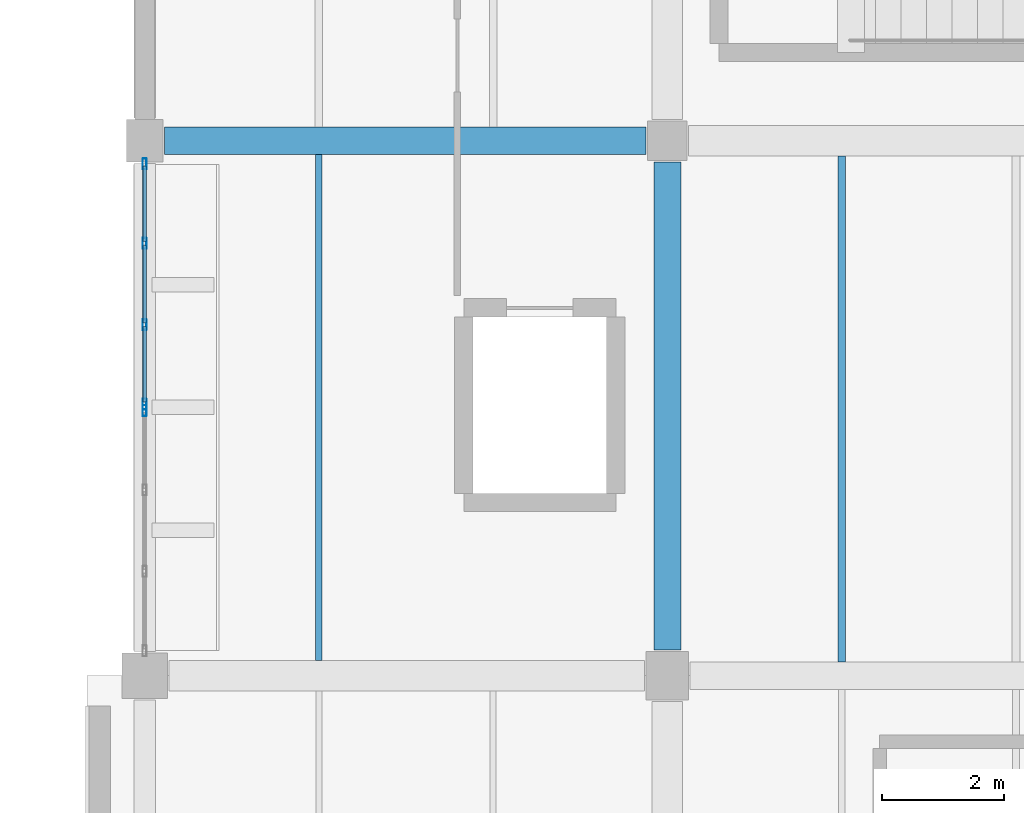
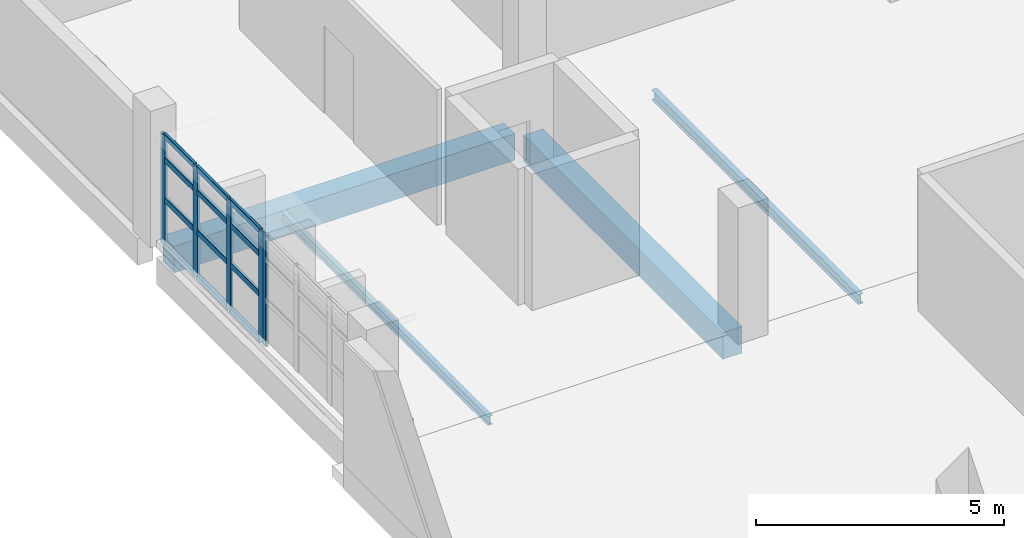
# One storey, part 12 of 93: 17 members, 4 beams, 2 elements without a shape of their own.
"""IFC4 building model written with IfcOpenShell, lengths in metres."""

import ifcopenshell
import ifcopenshell.guid

model = None  # the IFC model being written
_history = None  # IfcOwnerHistory: only IFC2X3 demands one
_inside = {}  # id of a spatial element -> (the spatial element, [elements in it])
_under = {}  # id of a project, library or spatial element -> (it, [spatial elements below it])
_declared = {}  # id of a project -> (the project, [libraries it declares])
_typed = {}  # id of a type object -> (the type object, [elements of that type])
_made_of = {}  # id of a material, layer set ... -> (it, [elements and type objects made of it])


def new_model(schema):
    """Start an empty IFC model of exactly this schema.

    Asked for "IFC4X3", IfcOpenShell would pick the latest addendum, in which some entities
    have other attributes; the version numbers below select the first issue.
    IFC2X3 requires an IfcOwnerHistory on every rooted entity: one is made here for all.
    """
    global model, _history
    if schema == "IFC4X3":
        model = ifcopenshell.file(schema_version=(4, 3, 0, 0))
    else:
        model = ifcopenshell.file(schema=schema)
    _inside.clear()
    _under.clear()
    _declared.clear()
    _typed.clear()
    _made_of.clear()
    _history = None
    if model.schema == "IFC2X3":
        org = make("IfcOrganization", Name="unknown")
        user = make(
            "IfcPersonAndOrganization",
            ThePerson=make("IfcPerson", FamilyName="unknown"),
            TheOrganization=org,
        )
        app = make(
            "IfcApplication",
            ApplicationDeveloper=org,
            Version="unknown",
            ApplicationFullName="unknown",
            ApplicationIdentifier="unknown",
        )
        _history = make(
            "IfcOwnerHistory",
            OwningUser=user,
            OwningApplication=app,
            ChangeAction="ADDED",
            CreationDate=0,
        )
    return model


def make(cls, **values):
    """One entity of the class cls with the attributes given. An attribute that is None is left unset."""
    return model.create_entity(
        cls, **{name: value for name, value in values.items() if value is not None}
    )


def rooted(cls, **values):
    """An entity with a GlobalId (a new one), such as an element, a storey or a relation."""
    return make(cls, GlobalId=ifcopenshell.guid.new(), OwnerHistory=_history, **values)


def si_unit(unit_type, name, prefix=None):
    """IfcSIUnit, for example si_unit("LENGTHUNIT", "METRE", prefix="MILLI")."""
    return make("IfcSIUnit", UnitType=unit_type, Prefix=prefix, Name=name)


def assignment(units):
    """IfcUnitAssignment: the units of a project."""
    return None if units is None else make("IfcUnitAssignment", Units=units)


def point(xyz):
    """IfcCartesianPoint."""
    return None if xyz is None else make("IfcCartesianPoint", Coordinates=xyz)


def direction(xyz):
    """IfcDirection."""
    return None if xyz is None else make("IfcDirection", DirectionRatios=xyz)


def frame(location, z_axis=None, x_axis=None):
    """IfcAxis2Placement3D, a coordinate frame: its origin and axes. An axis left out is left unset."""
    return make(
        "IfcAxis2Placement3D",
        Location=point(location),
        Axis=direction(z_axis),
        RefDirection=direction(x_axis),
    )


def frame_2d(location, x_axis=None):
    """IfcAxis2Placement2D, a coordinate frame in the plane: its origin and x axis."""
    return make(
        "IfcAxis2Placement2D", Location=point(location), RefDirection=direction(x_axis)
    )


def origin():
    """The frame at (0, 0, 0) with its axes left unset."""
    return frame((0.0, 0.0, 0.0))


def origin_2d():
    """The frame at (0, 0) in the plane with its x axis left unset."""
    return frame_2d((0.0, 0.0))


def place(relative_to, where):
    """IfcLocalPlacement: puts the frame where relative to a parent placement (None: the world)."""
    return make(
        "IfcLocalPlacement", PlacementRelTo=relative_to, RelativePlacement=where
    )


def context(
    kind, dimensions, precision=None, world=None, true_north=None, identifier=None
):
    """IfcGeometricRepresentationContext, for example the 3D "Model" context."""
    return make(
        "IfcGeometricRepresentationContext",
        ContextIdentifier=identifier,
        ContextType=kind,
        CoordinateSpaceDimension=dimensions,
        Precision=precision,
        WorldCoordinateSystem=world,
        TrueNorth=true_north,
    )


def subcontext(parent, identifier, kind, view, scale=None):
    """IfcGeometricRepresentationSubContext, for example "Body" below "Model"."""
    return make(
        "IfcGeometricRepresentationSubContext",
        ContextIdentifier=identifier,
        ContextType=kind,
        ParentContext=parent,
        TargetScale=scale,
        TargetView=view,
    )


def project(units=None, contexts=None):
    """IfcProject with its units and contexts."""
    return rooted(
        "IfcProject",
        Name="project",
        RepresentationContexts=contexts,
        UnitsInContext=assignment(units),
    )


def spatial(cls, under=None, at=None, **own):
    """A site, building, storey or space (cls), placed at a placement, below another one or the project."""
    s = rooted(cls, ObjectPlacement=at, **own)
    if under is not None:
        _under.setdefault(under.id(), (under, []))[1].append(s)
    return s


def profile(cls, at=None, kind="AREA", **sizes):
    """A parametric profile (cls). Its sizes go by their IFC names, for example OverallWidth=200.0."""
    return make(cls, ProfileType=kind, Position=at, **sizes)


def rectangle(**sizes):
    """IfcRectangleProfileDef."""
    return profile("IfcRectangleProfileDef", **sizes)


def hollow_rectangle(**sizes):
    """IfcRectangleHollowProfileDef."""
    return profile("IfcRectangleHollowProfileDef", **sizes)


def i_section(**sizes):
    """IfcIShapeProfileDef."""
    return profile("IfcIShapeProfileDef", **sizes)


def extrude(swept, where, along, depth):
    """IfcExtrudedAreaSolid: the profile swept, set in the frame where, extruded along a direction by depth."""
    return make(
        "IfcExtrudedAreaSolid",
        SweptArea=swept,
        Position=where,
        ExtrudedDirection=direction(along),
        Depth=depth,
    )


def shape(context_of_items, identifier, shape_type, items):
    """IfcShapeRepresentation: the items that make up one representation, for example the "Body"."""
    return make(
        "IfcShapeRepresentation",
        ContextOfItems=context_of_items,
        RepresentationIdentifier=identifier,
        RepresentationType=shape_type,
        Items=items,
    )


def material(Name=None, Category=None):
    """IfcMaterial."""
    return make("IfcMaterial", Name=Name, Category=Category)


def material_profile(
    of_material, cross_section, Name=None, Category=None, Priority=None
):
    """IfcMaterialProfile: a cross section and its material."""
    return make(
        "IfcMaterialProfile",
        Name=Name,
        Material=of_material,
        Profile=cross_section,
        Priority=Priority,
        Category=Category,
    )


def profile_set(profiles, Name=None, composite=None):
    """IfcMaterialProfileSet."""
    return make(
        "IfcMaterialProfileSet",
        Name=Name,
        MaterialProfiles=profiles,
        CompositeProfile=composite,
    )


def made_of(thing, what):
    """Note that an element or type object is made of a material, layer set ...; save() writes the relation."""
    if what is not None:
        _made_of.setdefault(what.id(), (what, []))[1].append(thing)
    return thing


def type_object(cls, material=None, **own):
    """A type object (cls), such as IfcWallType, which elements share."""
    return made_of(rooted(cls, **own), material)


def element(
    cls,
    number,
    at=None,
    inside=None,
    cuts=None,
    type_object=None,
    material=None,
    context=None,
    identifier="Body",
    shape_type=None,
    held_by="IfcProductDefinitionShape",
    body=None,
    shapes=None,
    **own,
):
    """One element of the class cls, such as IfcWall. Its Tag is "e" and its number.

    at: its placement. inside: the storey or other place that contains it. cuts: it is an
    opening in that element (IfcRelVoidsElement). A single representation is given by context,
    identifier, shape_type and body (its items); several are given by shapes. held_by: the class
    of the entity that holds the representations. save() writes the other relations.
    """
    e = rooted(cls, Tag="e%d" % number, ObjectPlacement=at, **own)
    if body is not None:
        shapes = [shape(context, identifier, shape_type, body)]
    if shapes is not None:
        e.Representation = make(held_by, Representations=shapes)
    if inside is not None:
        _inside.setdefault(inside.id(), (inside, []))[1].append(e)
    if cuts is not None:
        rooted(
            "IfcRelVoidsElement", RelatingBuildingElement=cuts, RelatedOpeningElement=e
        )
    if type_object is not None:
        _typed.setdefault(type_object.id(), (type_object, []))[1].append(e)
    return made_of(e, material)


def aggregate(whole, parts):
    """IfcRelAggregates: a whole, such as a stair, and the parts it consists of."""
    return rooted("IfcRelAggregates", RelatingObject=whole, RelatedObjects=parts)


def save(model, path):
    """Write the relations noted so far, then the file.

    IfcRelAggregates (storeys below a building ...), IfcRelContainedInSpatialStructure (elements
    in a storey), IfcRelDefinesByType, IfcRelAssociatesMaterial and IfcRelDeclares: one each for
    every whole, place, type object, material and project.
    """
    for whole, parts in _under.values():
        aggregate(whole, parts)
    for where, things in _inside.values():
        rooted(
            "IfcRelContainedInSpatialStructure",
            RelatedElements=things,
            RelatingStructure=where,
        )
    for kind, things in _typed.values():
        rooted("IfcRelDefinesByType", RelatedObjects=things, RelatingType=kind)
    for what, things in _made_of.values():
        rooted("IfcRelAssociatesMaterial", RelatedObjects=things, RelatingMaterial=what)
    for by, libraries in _declared.values():
        rooted("IfcRelDeclares", RelatingContext=by, RelatedDefinitions=libraries)
    model.write(path)


model = new_model("IFC4")

# Units and contexts
model_context = context("Model", 3, precision=1e-05, world=origin(), true_north=direction((0.0, 1.0)))
body_context = subcontext(model_context, "Body", "Model", "MODEL_VIEW")
ifc_project = project(units=[si_unit("LENGTHUNIT", "METRE"), si_unit("AREAUNIT", "SQUARE_METRE"), si_unit("VOLUMEUNIT", "CUBIC_METRE"), si_unit("PLANEANGLEUNIT", "RADIAN"), si_unit("MASSUNIT", "GRAM", prefix="KILO")], contexts=[model_context])

# Site, building, storey
site_placement = place(None, origin())
site = spatial("IfcSite", under=ifc_project, at=site_placement, CompositionType="ELEMENT")
building_placement = place(site_placement, origin())
building = spatial("IfcBuilding", under=site, at=building_placement, Name="Varnakota Cinema and Media Centre", CompositionType="ELEMENT")
storey_placement = place(building_placement, frame((0.0, 0.0, 12.0)))
storey = spatial("IfcBuildingStorey", under=building, at=storey_placement, Name="L03", CompositionType="ELEMENT", Elevation=12.0)

# Beams
ifc_material_1 = material(Name="Concrete M35", Category="concrete")
ifc_material_profile_1 = material_profile(ifc_material_1, rectangle(XDim=0.449951171875, YDim=0.64990234375, at=origin_2d()), Name="RCB 450x650")
ifc_profile_set_1 = profile_set([ifc_material_profile_1], Name="Concrete M35")
beam_type_1 = type_object("IfcBeamType", Name="BM-RC-450x650", PredefinedType="BEAM", material=ifc_profile_set_1)
beam_1_placement = place(storey_placement, frame((0.324951171875, 44.0, -0.5849609375), z_axis=(1.0, 0.0, 0.0), x_axis=(0.0, 1.0, 0.0)))
element("IfcBeam", 1, at=beam_1_placement, inside=storey, type_object=beam_type_1, Name="L03 girder A-B/6", PredefinedType="BEAM", context=body_context, shape_type="SweptSolid", body=[
    extrude(rectangle(XDim=0.449951171875, YDim=0.64990234375, at=origin_2d()), origin(), (0.0, 0.0, 1.0), 7.925048828125),
])
beam_2_placement = place(storey_placement, frame((8.60009765625, 35.625, -0.5849609375), z_axis=(0.0, 1.0, 0.0), x_axis=(-1.0, 0.0, 0.0)))
element("IfcBeam", 2, at=beam_2_placement, inside=storey, type_object=beam_type_1, Name="L03 girder B/5-6", PredefinedType="BEAM", context=body_context, shape_type="SweptSolid", body=[
    extrude(rectangle(XDim=0.449951171875, YDim=0.64990234375, at=origin_2d()), origin(), (0.0, 0.0, 1.0), 8.02490234375),
])
ifc_material_2 = material(Name="Structural steel Grade 350 (E350)", Category="steel")
ifc_material_profile_2 = material_profile(ifc_material_2, i_section(OverallWidth=0.110107421875, OverallDepth=0.22509765625, WebThickness=0.006591796875, FlangeThickness=0.01171875, FilletRadius=0.011962890625, at=origin_2d()), Name="ISMB 225")
ifc_profile_set_2 = profile_set([ifc_material_profile_2], Name="Structural steel Grade 350 (E350)")
beam_type_2 = type_object("IfcBeamType", Name="BM-ST-ISMB225", PredefinedType="JOIST", material=ifc_profile_set_2)
beam_3_placement = place(storey_placement, frame((2.86669921875, 35.449951171875, -0.37255859375), z_axis=(0.0, 1.0, 0.0), x_axis=(-1.0, 0.0, 0.0)))
element("IfcBeam", 3, at=beam_3_placement, inside=storey, type_object=beam_type_2, Name="L03 steel joist A-B/5-6 #1", PredefinedType="JOIST", context=body_context, shape_type="SweptSolid", body=[
    extrude(i_section(OverallWidth=0.110107421875, OverallDepth=0.22509765625, WebThickness=0.006591796875, FlangeThickness=0.01171875, FilletRadius=0.011962890625, at=origin_2d()), origin(), (0.0, 0.0, 1.0), 8.324951171875),
])
ifc_material_3 = material(Name="Structural steel Grade 350 (E350)", Category="steel")
ifc_material_profile_3 = material_profile(ifc_material_3, i_section(OverallWidth=0.125, OverallDepth=0.25, WebThickness=0.0068359375, FlangeThickness=0.012451171875, FilletRadius=0.012939453125, at=origin_2d()), Name="ISMB 250")
ifc_profile_set_3 = profile_set([ifc_material_profile_3], Name="Structural steel Grade 350 (E350)")
beam_type_3 = type_object("IfcBeamType", Name="BM-ST-ISMB250", PredefinedType="JOIST", material=ifc_profile_set_3)
beam_4_placement = place(storey_placement, frame((11.466796875, 35.425048828125, -0.385009765625), z_axis=(0.0, 1.0, 0.0), x_axis=(-1.0, 0.0, 0.0)))
element("IfcBeam", 4, at=beam_4_placement, inside=storey, type_object=beam_type_3, Name="L03 steel joist B-C/5-6 #1", PredefinedType="JOIST", context=body_context, shape_type="SweptSolid", body=[
    extrude(i_section(OverallWidth=0.125, OverallDepth=0.25, WebThickness=0.0068359375, FlangeThickness=0.012451171875, FilletRadius=0.012939453125, at=origin_2d()), origin(), (0.0, 0.0, 1.0), 8.324951171875),
])

# Curtain wall, members
ifc_material_4 = material(Name="Thermally broken anodised aluminium AW-6063", Category="aluminium")
curtain_wall_type = type_object("IfcCurtainWallType", Name="CW-STD-402x274", PredefinedType="USERDEFINED", material=ifc_material_4)
curtain_wall_1_placement = place(storey_placement, origin())
curtain_wall_1 = element("IfcCurtainWall", 5, at=curtain_wall_1_placement, inside=storey, type_object=curtain_wall_type, Name="L03 curtain wall CW-L03-V5-W-05-1", ObjectType="UNITISED CURTAIN WALL", PredefinedType="USERDEFINED")
ifc_material_5 = material(Name="Thermally broken anodised aluminium AW-6063", Category="aluminium")
ifc_material_profile_4 = material_profile(ifc_material_5, hollow_rectangle(XDim=0.06494140625, YDim=0.179931640625, WallThickness=0.00390625, InnerFilletRadius=0.00390625, OuterFilletRadius=0.008056640625, at=origin_2d()), Name="AL-MULLION 180x65x4")
ifc_profile_set_4 = profile_set([ifc_material_profile_4], Name="Thermally broken anodised aluminium AW-6063")
member_type_1 = type_object("IfcMemberType", Name="CWM-AL-180", PredefinedType="MULLION", material=ifc_profile_set_4)
member_1_placement = place(storey_placement, frame((0.0, 43.617431640625, 0.0), z_axis=(0.0, 0.0, 1.0), x_axis=(1.0, 0.0, 0.0)))
member_1 = element("IfcMember", 6, at=member_1_placement, type_object=member_type_1, Name="CW47 mullion 1", PredefinedType="MULLION", context=body_context, shape_type="SweptSolid", body=[
    extrude(hollow_rectangle(XDim=0.06494140625, YDim=0.179931640625, WallThickness=0.00390625, InnerFilletRadius=0.00390625, OuterFilletRadius=0.008056640625, at=origin_2d()), origin(), (0.0, 0.0, 1.0), 2.735107421875),
])
member_2_placement = place(storey_placement, frame((0.0, 42.310791015625, 0.0), z_axis=(0.0, 0.0, 1.0), x_axis=(1.0, 0.0, 0.0)))
member_2 = element("IfcMember", 7, at=member_2_placement, type_object=member_type_1, Name="CW47 mullion 2", PredefinedType="MULLION", context=body_context, shape_type="SweptSolid", body=[
    extrude(hollow_rectangle(XDim=0.06494140625, YDim=0.179931640625, WallThickness=0.00390625, InnerFilletRadius=0.00390625, OuterFilletRadius=0.008056640625, at=origin_2d()), origin(), (0.0, 0.0, 1.0), 2.735107421875),
])
member_3_placement = place(storey_placement, frame((0.0, 40.9716796875, 0.0), z_axis=(0.0, 0.0, 1.0), x_axis=(1.0, 0.0, 0.0)))
member_3 = element("IfcMember", 8, at=member_3_placement, type_object=member_type_1, Name="CW47 mullion 3", PredefinedType="MULLION", context=body_context, shape_type="SweptSolid", body=[
    extrude(hollow_rectangle(XDim=0.06494140625, YDim=0.179931640625, WallThickness=0.00390625, InnerFilletRadius=0.00390625, OuterFilletRadius=0.008056640625, at=origin_2d()), origin(), (0.0, 0.0, 1.0), 2.735107421875),
])
member_4_placement = place(storey_placement, frame((0.0, 39.6650390625, 0.0), z_axis=(0.0, 0.0, 1.0), x_axis=(1.0, 0.0, 0.0)))
member_4 = element("IfcMember", 9, at=member_4_placement, type_object=member_type_1, Name="CW47 mullion 4", PredefinedType="MULLION", context=body_context, shape_type="SweptSolid", body=[
    extrude(hollow_rectangle(XDim=0.06494140625, YDim=0.179931640625, WallThickness=0.00390625, InnerFilletRadius=0.00390625, OuterFilletRadius=0.008056640625, at=origin_2d()), origin(), (0.0, 0.0, 1.0), 2.735107421875),
])

# Curtain wall, member
curtain_wall_2_placement = place(storey_placement, origin())
curtain_wall_2 = element("IfcCurtainWall", 10, at=curtain_wall_2_placement, inside=storey, type_object=curtain_wall_type, Name="L03 curtain wall CW-L03-V5-W-05-2", ObjectType="UNITISED CURTAIN WALL", PredefinedType="USERDEFINED")
member_5_placement = place(storey_placement, frame((0.0, 39.56005859375, 0.0), z_axis=(0.0, 0.0, 1.0), x_axis=(1.0, 0.0, 0.0)))
member_5 = element("IfcMember", 11, at=member_5_placement, type_object=member_type_1, Name="CW47 mullion 1", PredefinedType="MULLION", context=body_context, shape_type="SweptSolid", body=[
    extrude(hollow_rectangle(XDim=0.06494140625, YDim=0.179931640625, WallThickness=0.00390625, InnerFilletRadius=0.00390625, OuterFilletRadius=0.008056640625, at=origin_2d()), origin(), (0.0, 0.0, 1.0), 2.735107421875),
])
aggregate(curtain_wall_2, [member_5])

# Member
ifc_material_6 = material(Name="Thermally broken anodised aluminium AW-6063", Category="aluminium")
ifc_material_profile_5 = material_profile(ifc_material_6, hollow_rectangle(XDim=0.06494140625, YDim=0.139892578125, WallThickness=0.00390625, InnerFilletRadius=0.00390625, OuterFilletRadius=0.008056640625, at=origin_2d()), Name="AL-TRANSOM 140x65x4")
ifc_profile_set_5 = profile_set([ifc_material_profile_5], Name="Thermally broken anodised aluminium AW-6063")
member_type_2 = type_object("IfcMemberType", Name="CWT-AL-140", PredefinedType="USERDEFINED", material=ifc_profile_set_5)
member_6_placement = place(storey_placement, frame((0.0, 43.5849609375, 0.032470703125), z_axis=(0.0, -1.0, 0.0), x_axis=(1.0, 0.0, 0.0)))
member_6 = element("IfcMember", 12, at=member_6_placement, type_object=member_type_2, Name="CW47 transom 1.1", ObjectType="TRANSOM", PredefinedType="USERDEFINED", context=body_context, shape_type="SweptSolid", body=[
    extrude(hollow_rectangle(XDim=0.06494140625, YDim=0.139892578125, WallThickness=0.00390625, InnerFilletRadius=0.00390625, OuterFilletRadius=0.008056640625, at=origin_2d()), origin(), (0.0, 0.0, 1.0), 1.24169921875),
])

member_7_placement = place(storey_placement, frame((0.0, 43.5849609375, 1.148681640625), z_axis=(0.0, -1.0, 0.0), x_axis=(1.0, 0.0, 0.0)))
member_7 = element("IfcMember", 13, at=member_7_placement, type_object=member_type_2, Name="CW47 transom 1.2", ObjectType="TRANSOM", PredefinedType="USERDEFINED", context=body_context, shape_type="SweptSolid", body=[
    extrude(hollow_rectangle(XDim=0.06494140625, YDim=0.139892578125, WallThickness=0.00390625, InnerFilletRadius=0.00390625, OuterFilletRadius=0.008056640625, at=origin_2d()), origin(), (0.0, 0.0, 1.0), 1.24169921875),
])

member_8_placement = place(storey_placement, frame((0.0, 43.5849609375, 2.13330078125), z_axis=(0.0, -1.0, 0.0), x_axis=(1.0, 0.0, 0.0)))
member_8 = element("IfcMember", 14, at=member_8_placement, type_object=member_type_2, Name="CW47 transom 1.3", ObjectType="TRANSOM", PredefinedType="USERDEFINED", context=body_context, shape_type="SweptSolid", body=[
    extrude(hollow_rectangle(XDim=0.06494140625, YDim=0.139892578125, WallThickness=0.00390625, InnerFilletRadius=0.00390625, OuterFilletRadius=0.008056640625, at=origin_2d()), origin(), (0.0, 0.0, 1.0), 1.24169921875),
])

member_9_placement = place(storey_placement, frame((0.0, 43.5849609375, 2.702392578125), z_axis=(0.0, -1.0, 0.0), x_axis=(1.0, 0.0, 0.0)))
member_9 = element("IfcMember", 15, at=member_9_placement, type_object=member_type_2, Name="CW47 transom 1.4", ObjectType="TRANSOM", PredefinedType="USERDEFINED", context=body_context, shape_type="SweptSolid", body=[
    extrude(hollow_rectangle(XDim=0.06494140625, YDim=0.139892578125, WallThickness=0.00390625, InnerFilletRadius=0.00390625, OuterFilletRadius=0.008056640625, at=origin_2d()), origin(), (0.0, 0.0, 1.0), 1.24169921875),
])

member_10_placement = place(storey_placement, frame((0.0, 42.2783203125, 0.032470703125), z_axis=(0.0, -1.0, 0.0), x_axis=(1.0, 0.0, 0.0)))
member_10 = element("IfcMember", 16, at=member_10_placement, type_object=member_type_2, Name="CW47 transom 2.1", ObjectType="TRANSOM", PredefinedType="USERDEFINED", context=body_context, shape_type="SweptSolid", body=[
    extrude(hollow_rectangle(XDim=0.06494140625, YDim=0.139892578125, WallThickness=0.00390625, InnerFilletRadius=0.00390625, OuterFilletRadius=0.008056640625, at=origin_2d()), origin(), (0.0, 0.0, 1.0), 1.274169921875),
])

member_11_placement = place(storey_placement, frame((0.0, 42.2783203125, 1.148681640625), z_axis=(0.0, -1.0, 0.0), x_axis=(1.0, 0.0, 0.0)))
member_11 = element("IfcMember", 17, at=member_11_placement, type_object=member_type_2, Name="CW47 transom 2.2", ObjectType="TRANSOM", PredefinedType="USERDEFINED", context=body_context, shape_type="SweptSolid", body=[
    extrude(hollow_rectangle(XDim=0.06494140625, YDim=0.139892578125, WallThickness=0.00390625, InnerFilletRadius=0.00390625, OuterFilletRadius=0.008056640625, at=origin_2d()), origin(), (0.0, 0.0, 1.0), 1.274169921875),
])

member_12_placement = place(storey_placement, frame((0.0, 42.2783203125, 2.13330078125), z_axis=(0.0, -1.0, 0.0), x_axis=(1.0, 0.0, 0.0)))
member_12 = element("IfcMember", 18, at=member_12_placement, type_object=member_type_2, Name="CW47 transom 2.3", ObjectType="TRANSOM", PredefinedType="USERDEFINED", context=body_context, shape_type="SweptSolid", body=[
    extrude(hollow_rectangle(XDim=0.06494140625, YDim=0.139892578125, WallThickness=0.00390625, InnerFilletRadius=0.00390625, OuterFilletRadius=0.008056640625, at=origin_2d()), origin(), (0.0, 0.0, 1.0), 1.274169921875),
])

member_13_placement = place(storey_placement, frame((0.0, 42.2783203125, 2.702392578125), z_axis=(0.0, -1.0, 0.0), x_axis=(1.0, 0.0, 0.0)))
member_13 = element("IfcMember", 19, at=member_13_placement, type_object=member_type_2, Name="CW47 transom 2.4", ObjectType="TRANSOM", PredefinedType="USERDEFINED", context=body_context, shape_type="SweptSolid", body=[
    extrude(hollow_rectangle(XDim=0.06494140625, YDim=0.139892578125, WallThickness=0.00390625, InnerFilletRadius=0.00390625, OuterFilletRadius=0.008056640625, at=origin_2d()), origin(), (0.0, 0.0, 1.0), 1.274169921875),
])

member_14_placement = place(storey_placement, frame((0.0, 40.939208984375, 0.032470703125), z_axis=(0.0, -1.0, 0.0), x_axis=(1.0, 0.0, 0.0)))
member_14 = element("IfcMember", 20, at=member_14_placement, type_object=member_type_2, Name="CW47 transom 3.1", ObjectType="TRANSOM", PredefinedType="USERDEFINED", context=body_context, shape_type="SweptSolid", body=[
    extrude(hollow_rectangle(XDim=0.06494140625, YDim=0.139892578125, WallThickness=0.00390625, InnerFilletRadius=0.00390625, OuterFilletRadius=0.008056640625, at=origin_2d()), origin(), (0.0, 0.0, 1.0), 1.24169921875),
])

member_15_placement = place(storey_placement, frame((0.0, 40.939208984375, 1.148681640625), z_axis=(0.0, -1.0, 0.0), x_axis=(1.0, 0.0, 0.0)))
member_15 = element("IfcMember", 21, at=member_15_placement, type_object=member_type_2, Name="CW47 transom 3.2", ObjectType="TRANSOM", PredefinedType="USERDEFINED", context=body_context, shape_type="SweptSolid", body=[
    extrude(hollow_rectangle(XDim=0.06494140625, YDim=0.139892578125, WallThickness=0.00390625, InnerFilletRadius=0.00390625, OuterFilletRadius=0.008056640625, at=origin_2d()), origin(), (0.0, 0.0, 1.0), 1.24169921875),
])

member_16_placement = place(storey_placement, frame((0.0, 40.939208984375, 2.13330078125), z_axis=(0.0, -1.0, 0.0), x_axis=(1.0, 0.0, 0.0)))
member_16 = element("IfcMember", 22, at=member_16_placement, type_object=member_type_2, Name="CW47 transom 3.3", ObjectType="TRANSOM", PredefinedType="USERDEFINED", context=body_context, shape_type="SweptSolid", body=[
    extrude(hollow_rectangle(XDim=0.06494140625, YDim=0.139892578125, WallThickness=0.00390625, InnerFilletRadius=0.00390625, OuterFilletRadius=0.008056640625, at=origin_2d()), origin(), (0.0, 0.0, 1.0), 1.24169921875),
])

member_17_placement = place(storey_placement, frame((0.0, 40.939208984375, 2.702392578125), z_axis=(0.0, -1.0, 0.0), x_axis=(1.0, 0.0, 0.0)))
member_17 = element("IfcMember", 23, at=member_17_placement, type_object=member_type_2, Name="CW47 transom 3.4", ObjectType="TRANSOM", PredefinedType="USERDEFINED", context=body_context, shape_type="SweptSolid", body=[
    extrude(hollow_rectangle(XDim=0.06494140625, YDim=0.139892578125, WallThickness=0.00390625, InnerFilletRadius=0.00390625, OuterFilletRadius=0.008056640625, at=origin_2d()), origin(), (0.0, 0.0, 1.0), 1.24169921875),
])

aggregate(curtain_wall_1, [member_1, member_2, member_3, member_4, member_6, member_7, member_8, member_9, member_10, member_11, member_12, member_13, member_14, member_15, member_16, member_17])

save(model, "model.ifc")
